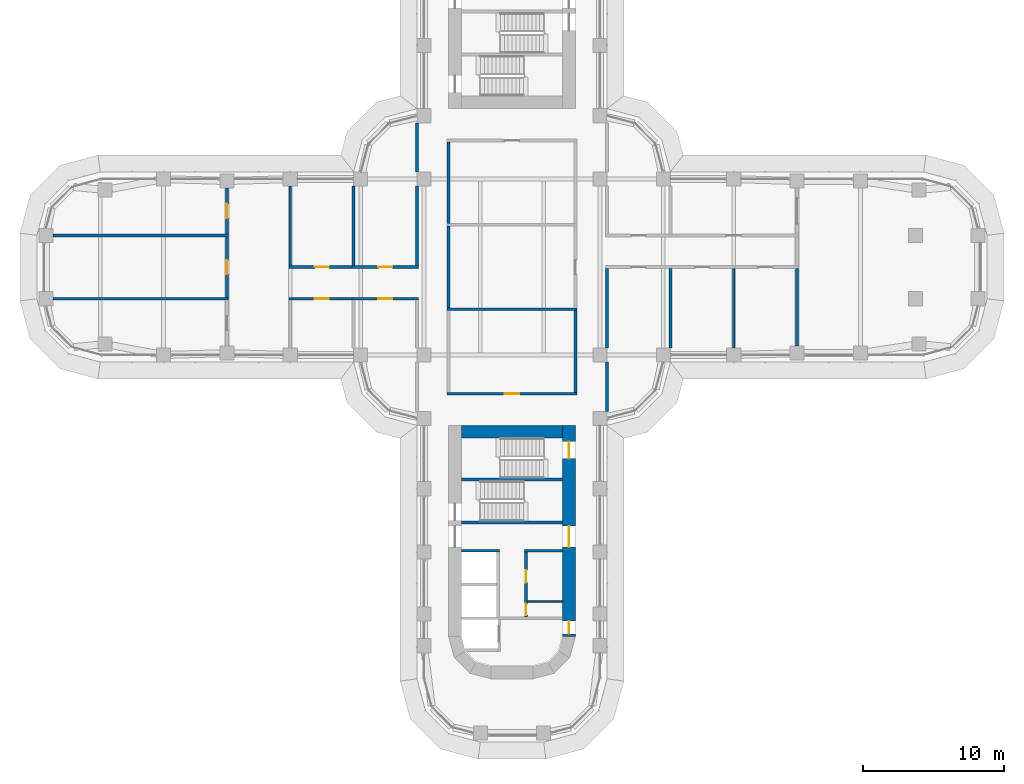
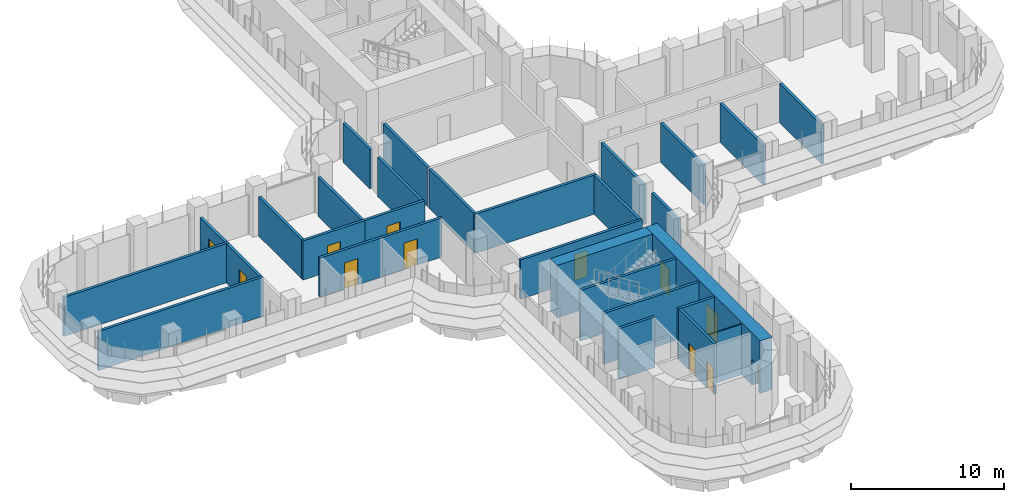
# One storey, part 17 of 23: 30 walls, 12 doors, 12 openings.
"""IFC4 building model written with IfcOpenShell, lengths in metres."""

from ifc_helpers import new_model, si_unit, direction, frame, frame_2d, origin, place, context, subcontext, project, spatial, rectangle, extrude, material, layer, layer_set, type_object, element, fill, save


model = new_model("IFC4")

# Units and contexts
model_context = context("Model", 3, precision=1e-05, world=origin(), true_north=direction((0.0, 1.0)))
body_context = subcontext(model_context, "Body", "Model", "MODEL_VIEW")
ifc_project = project(units=[si_unit("LENGTHUNIT", "METRE"), si_unit("AREAUNIT", "SQUARE_METRE"), si_unit("VOLUMEUNIT", "CUBIC_METRE"), si_unit("PLANEANGLEUNIT", "RADIAN"), si_unit("MASSUNIT", "GRAM", prefix="KILO")], contexts=[model_context])

# Site, building, storey
site_placement = place(None, origin())
site = spatial("IfcSite", under=ifc_project, at=site_placement, CompositionType="ELEMENT")
building_placement = place(site_placement, origin())
building = spatial("IfcBuilding", under=site, at=building_placement, Name="Zarbagh Exchange Tower", CompositionType="ELEMENT")
storey_placement = place(building_placement, frame((0.0, 0.0, 35.39990234375)))
storey = spatial("IfcBuildingStorey", under=building, at=storey_placement, Name="L07", CompositionType="ELEMENT", Elevation=35.39990234375)

# Walls
ifc_material_1 = material(Name="Dense blockwork", Category="masonry")
ifc_layer_1 = layer(ifc_material_1, 0.10009765625)
ifc_layer_set_1 = layer_set([ifc_layer_1], Name="Core partition 100 mm blockwork")
wall_type_1 = type_object("IfcWallType", Name="Core partition 100 mm blockwork", PredefinedType="PARTITIONING", material=ifc_layer_set_1)
wall_1_placement = place(storey_placement, frame((3.60009765625, -23.75, 0.0), z_axis=(0.0, 0.0, 1.0), x_axis=(-1.0, 0.0, 0.0)))
element("IfcWall", 1, at=wall_1_placement, inside=storey, type_object=wall_type_1, Name="South core partition wall CUT-W-460", PredefinedType="PARTITIONING", context=body_context, shape_type="SweptSolid", body=[
    extrude(rectangle(XDim=2.5, YDim=0.10009765625, at=frame_2d((1.25, 0.0))), origin(), (0.0, 0.0, 1.0), 4.050048828125),
])
ifc_material_2 = material(Name="Fire-rated plasterboard partition")
ifc_layer_2 = layer(ifc_material_2, 0.199951171875)
ifc_layer_set_2 = layer_set([ifc_layer_2], Name="RATED PARTITION 200")
wall_type_2 = type_object("IfcWallType", Name="RATED PARTITION 200", PredefinedType="PARTITIONING", material=ifc_layer_set_2)
for number, where, z_axis, x_axis, name in (
    (2, (-4.5, 3.10009765625, 0.0), (0.0, 0.0, 1.0), (0.0, 1.0, 0.0), "Partition W-201"),
    (3, (-4.5, -2.89990234375, 0.0), (0.0, 0.0, 1.0), (0.0, 1.0, 0.0), "Partition W-202"),
):
    element("IfcWall", number, at=place(storey_placement, frame(where, z_axis=z_axis, x_axis=x_axis)), inside=storey, type_object=wall_type_2, Name=name, PredefinedType="PARTITIONING", context=body_context, shape_type="SweptSolid", body=[
        extrude(rectangle(XDim=5.7998046875, YDim=0.199951171875, at=frame_2d((2.89990234375, 0.0))), origin(), (0.0, 0.0, 1.0), 3.130615234375),
    ])
wall_2_placement = place(storey_placement, frame((-6.75, 0.10009765625, 0.0), z_axis=(0.0, 0.0, 1.0), x_axis=(0.0, 1.0, 0.0)))
element("IfcWall", 4, at=wall_2_placement, inside=storey, type_object=wall_type_2, Name="Partition W-204", PredefinedType="PARTITIONING", context=body_context, shape_type="SweptSolid", body=[
    extrude(rectangle(XDim=5.64990234375, YDim=0.199951171875, at=frame_2d((2.824951171875, 0.0))), origin(), (0.0, 0.0, 1.0), 3.130615234375),
])
wall_3_placement = place(storey_placement, frame((-6.75, 6.75, 0.0), z_axis=(0.0, 0.0, 1.0), x_axis=(0.0, 1.0, 0.0)))
element("IfcWall", 5, at=wall_3_placement, inside=storey, type_object=wall_type_2, Name="Partition W-205", PredefinedType="PARTITIONING", context=body_context, shape_type="SweptSolid", body=[
    extrude(rectangle(XDim=3.5, YDim=0.199951171875, at=frame_2d((1.75, 0.0))), origin(), (0.0, 0.0, 1.0), 3.130615234375),
])
wall_4_placement = place(storey_placement, frame((4.5, -8.89990234375, 0.0), z_axis=(0.0, 0.0, 1.0), x_axis=(0.0, 1.0, 0.0)))
element("IfcWall", 6, at=wall_4_placement, inside=storey, type_object=wall_type_2, Name="Partition W-210", PredefinedType="PARTITIONING", context=body_context, shape_type="SweptSolid", body=[
    extrude(rectangle(XDim=5.7998046875, YDim=0.199951171875, at=frame_2d((2.89990234375, 0.0))), origin(), (0.0, 0.0, 1.0), 3.130615234375),
])
wall_5_placement = place(storey_placement, frame((6.75, -10.25, 0.0), z_axis=(0.0, 0.0, 1.0), x_axis=(0.0, 1.0, 0.0)))
element("IfcWall", 7, at=wall_5_placement, inside=storey, type_object=wall_type_2, Name="Partition W-213", PredefinedType="PARTITIONING", context=body_context, shape_type="SweptSolid", body=[
    extrude(rectangle(XDim=3.5, YDim=0.199951171875, at=frame_2d((1.75, 0.0))), origin(), (0.0, 0.0, 1.0), 3.130615234375),
])
wall_6_placement = place(storey_placement, frame((6.75, -5.75, 0.0), z_axis=(0.0, 0.0, 1.0), x_axis=(0.0, 1.0, 0.0)))
element("IfcWall", 8, at=wall_6_placement, inside=storey, type_object=wall_type_2, Name="Partition W-214", PredefinedType="PARTITIONING", context=body_context, shape_type="SweptSolid", body=[
    extrude(rectangle(XDim=5.64990234375, YDim=0.199951171875, at=frame_2d((2.824951171875, 0.0))), origin(), (0.0, 0.0, 1.0), 3.130615234375),
])

# Wall, opening, door
wall_7_placement = place(storey_placement, frame((-4.60009765625, -9.0, 0.0), z_axis=(0.0, 0.0, 1.0), x_axis=(1.0, 0.0, 0.0)))
wall_7 = element("IfcWall", 9, at=wall_7_placement, inside=storey, type_object=wall_type_2, Name="Partition W-216", PredefinedType="PARTITIONING", context=body_context, shape_type="SweptSolid", body=[
    extrude(rectangle(XDim=9.2001953125, YDim=0.199951171875, at=frame_2d((4.60009765625, 0.0))), origin(), (0.0, 0.0, 1.0), 3.130615234375),
])
opening_1_placement = place(wall_7_placement, frame((4.10009765625, 0.0, 0.0)))
opening_1 = element("IfcOpeningElement", 10, at=opening_1_placement, cuts=wall_7, Name="Opening D-203", PredefinedType="OPENING", context=body_context, shape_type="SweptSolid", body=[
    extrude(rectangle(XDim=1.0, YDim=2.10009765625, at=frame_2d((0.5, 1.050048828125))), frame((0.0, 0.10986328125, 0.0), z_axis=(0.0, -1.0, 0.0), x_axis=(1.0, 0.0, 0.0)), (0.0, 0.0, 1.0), 0.219970703125),
])
ifc_material_3 = material(Name="Steel door set", Category="steel")
door_type_1 = type_object("IfcDoorType", Name="FIRE DOOR 1000 X 2100 FD30S", OperationType="NOTDEFINED", PredefinedType="DOOR", material=ifc_material_3)
door_1_placement = place(opening_1_placement, origin())
door_1 = element("IfcDoor", 11, at=door_1_placement, inside=storey, type_object=door_type_1, Name="Door D-203", OperationType="SINGLE_SWING_RIGHT", OverallHeight=2.10009765625, OverallWidth=1.0, PredefinedType="DOOR", context=body_context, shape_type="SweptSolid", body=[
    extrude(rectangle(XDim=1.0, YDim=2.10009765625, at=frame_2d((0.5, 1.050048828125))), frame((0.0, 0.02490234375, 0.0), z_axis=(0.0, -1.0, 0.0), x_axis=(1.0, 0.0, 0.0)), (0.0, 0.0, 1.0), 0.050048828125),
])
fill(opening_1, door_1)

# Walls
wall_8_placement = place(storey_placement, frame((-4.60009765625, -3.0, 0.0), z_axis=(0.0, 0.0, 1.0), x_axis=(1.0, 0.0, 0.0)))
element("IfcWall", 12, at=wall_8_placement, inside=storey, type_object=wall_type_2, Name="Partition W-218", PredefinedType="PARTITIONING", context=body_context, shape_type="SweptSolid", body=[
    extrude(rectangle(XDim=9.2001953125, YDim=0.199951171875, at=frame_2d((4.60009765625, 0.0))), origin(), (0.0, 0.0, 1.0), 3.130615234375),
])
for number, where, z_axis, x_axis, name in (
    (13, (11.25, -5.75, 0.0), (0.0, 0.0, 1.0), (0.0, 1.0, 0.0), "Partition W-226"),
    (14, (15.75, -5.75, 0.0), (0.0, 0.0, 1.0), (0.0, 1.0, 0.0), "Partition W-228"),
):
    element("IfcWall", number, at=place(storey_placement, frame(where, z_axis=z_axis, x_axis=x_axis)), inside=storey, type_object=wall_type_2, Name=name, PredefinedType="PARTITIONING", context=body_context, shape_type="SweptSolid", body=[
        extrude(rectangle(XDim=5.64990234375, YDim=0.199951171875, at=frame_2d((2.824951171875, 0.0))), origin(), (0.0, 0.0, 1.0), 3.130615234375),
    ])
wall_9_placement = place(storey_placement, frame((20.25, -5.610107421875, 0.0), z_axis=(0.0, 0.0, 1.0), x_axis=(0.0, 1.0, 0.0)))
element("IfcWall", 15, at=wall_9_placement, inside=storey, type_object=wall_type_2, Name="Partition W-229", PredefinedType="PARTITIONING", context=body_context, shape_type="SweptSolid", body=[
    extrude(rectangle(XDim=5.510009765625, YDim=0.199951171875, at=frame_2d((2.7548828125, 0.0))), origin(), (0.0, 0.0, 1.0), 3.130615234375),
])

# Wall, opening, door
wall_10_placement = place(storey_placement, frame((-11.35009765625, 0.0, 0.0), z_axis=(0.0, 0.0, 1.0), x_axis=(1.0, 0.0, 0.0)))
wall_10 = element("IfcWall", 16, at=wall_10_placement, inside=storey, type_object=wall_type_2, Name="Partition W-230", PredefinedType="PARTITIONING", context=body_context, shape_type="SweptSolid", body=[
    extrude(rectangle(XDim=4.7001953125, YDim=0.199951171875, at=frame_2d((2.35009765625, 0.0))), origin(), (0.0, 0.0, 1.0), 3.130615234375),
])
opening_2_placement = place(wall_10_placement, frame((1.85009765625, 0.0, 0.0)))
opening_2 = element("IfcOpeningElement", 17, at=opening_2_placement, cuts=wall_10, Name="Opening D-210", PredefinedType="OPENING", context=body_context, shape_type="SweptSolid", body=[
    extrude(rectangle(XDim=1.0, YDim=2.10009765625, at=frame_2d((0.5, 1.050048828125))), frame((0.0, 0.10986328125, 0.0), z_axis=(0.0, -1.0, 0.0), x_axis=(1.0, 0.0, 0.0)), (0.0, 0.0, 1.0), 0.219970703125),
])
door_2_placement = place(opening_2_placement, origin())
door_2 = element("IfcDoor", 18, at=door_2_placement, inside=storey, type_object=door_type_1, Name="Door D-210", OperationType="SINGLE_SWING_RIGHT", OverallHeight=2.10009765625, OverallWidth=1.0, PredefinedType="DOOR", context=body_context, shape_type="SweptSolid", body=[
    extrude(rectangle(XDim=1.0, YDim=2.10009765625, at=frame_2d((0.5, 1.050048828125))), frame((0.0, 0.02490234375, 0.0), z_axis=(0.0, -1.0, 0.0), x_axis=(1.0, 0.0, 0.0)), (0.0, 0.0, 1.0), 0.050048828125),
])
fill(opening_2, door_2)

wall_11_placement = place(storey_placement, frame((-6.64990234375, -2.25, 0.0), z_axis=(0.0, 0.0, 1.0), x_axis=(-1.0, 0.0, 0.0)))
wall_11 = element("IfcWall", 19, at=wall_11_placement, inside=storey, type_object=wall_type_2, Name="Partition W-231", PredefinedType="PARTITIONING", context=body_context, shape_type="SweptSolid", body=[
    extrude(rectangle(XDim=4.7001953125, YDim=0.199951171875, at=frame_2d((2.35009765625, 0.0))), origin(), (0.0, 0.0, 1.0), 3.130615234375),
])
opening_3_placement = place(wall_11_placement, frame((1.85009765625, 0.0, 0.0)))
opening_3 = element("IfcOpeningElement", 20, at=opening_3_placement, cuts=wall_11, Name="Opening D-212", PredefinedType="OPENING", context=body_context, shape_type="SweptSolid", body=[
    extrude(rectangle(XDim=1.0, YDim=2.10009765625, at=frame_2d((0.5, 1.050048828125))), frame((0.0, 0.10986328125, 0.0), z_axis=(0.0, -1.0, 0.0), x_axis=(1.0, 0.0, 0.0)), (0.0, 0.0, 1.0), 0.219970703125),
])
door_3_placement = place(opening_3_placement, origin())
door_3 = element("IfcDoor", 21, at=door_3_placement, inside=storey, type_object=door_type_1, Name="Door D-212", OperationType="SINGLE_SWING_RIGHT", OverallHeight=2.10009765625, OverallWidth=1.0, PredefinedType="DOOR", context=body_context, shape_type="SweptSolid", body=[
    extrude(rectangle(XDim=1.0, YDim=2.10009765625, at=frame_2d((0.5, 1.050048828125))), frame((0.0, 0.02490234375, 0.0), z_axis=(0.0, -1.0, 0.0), x_axis=(1.0, 0.0, 0.0)), (0.0, 0.0, 1.0), 0.050048828125),
])
fill(opening_3, door_3)

wall_12_placement = place(storey_placement, frame((-15.85009765625, 0.0, 0.0), z_axis=(0.0, 0.0, 1.0), x_axis=(1.0, 0.0, 0.0)))
wall_12 = element("IfcWall", 22, at=wall_12_placement, inside=storey, type_object=wall_type_2, Name="Partition W-232", PredefinedType="PARTITIONING", context=body_context, shape_type="SweptSolid", body=[
    extrude(rectangle(XDim=4.7001953125, YDim=0.199951171875, at=frame_2d((2.35009765625, 0.0))), origin(), (0.0, 0.0, 1.0), 3.130615234375),
])
opening_4_placement = place(wall_12_placement, frame((1.85009765625, 0.0, 0.0)))
opening_4 = element("IfcOpeningElement", 23, at=opening_4_placement, cuts=wall_12, Name="Opening D-211", PredefinedType="OPENING", context=body_context, shape_type="SweptSolid", body=[
    extrude(rectangle(XDim=1.0, YDim=2.10009765625, at=frame_2d((0.5, 1.050048828125))), frame((0.0, 0.10986328125, 0.0), z_axis=(0.0, -1.0, 0.0), x_axis=(1.0, 0.0, 0.0)), (0.0, 0.0, 1.0), 0.219970703125),
])
door_4_placement = place(opening_4_placement, origin())
door_4 = element("IfcDoor", 24, at=door_4_placement, inside=storey, type_object=door_type_1, Name="Door D-211", OperationType="SINGLE_SWING_RIGHT", OverallHeight=2.10009765625, OverallWidth=1.0, PredefinedType="DOOR", context=body_context, shape_type="SweptSolid", body=[
    extrude(rectangle(XDim=1.0, YDim=2.10009765625, at=frame_2d((0.5, 1.050048828125))), frame((0.0, 0.02490234375, 0.0), z_axis=(0.0, -1.0, 0.0), x_axis=(1.0, 0.0, 0.0)), (0.0, 0.0, 1.0), 0.050048828125),
])
fill(opening_4, door_4)

wall_13_placement = place(storey_placement, frame((-11.14990234375, -2.25, 0.0), z_axis=(0.0, 0.0, 1.0), x_axis=(-1.0, 0.0, 0.0)))
wall_13 = element("IfcWall", 25, at=wall_13_placement, inside=storey, type_object=wall_type_2, Name="Partition W-233", PredefinedType="PARTITIONING", context=body_context, shape_type="SweptSolid", body=[
    extrude(rectangle(XDim=4.7001953125, YDim=0.199951171875, at=frame_2d((2.35009765625, 0.0))), origin(), (0.0, 0.0, 1.0), 3.130615234375),
])
opening_5_placement = place(wall_13_placement, frame((1.85009765625, 0.0, 0.0)))
opening_5 = element("IfcOpeningElement", 26, at=opening_5_placement, cuts=wall_13, Name="Opening D-213", PredefinedType="OPENING", context=body_context, shape_type="SweptSolid", body=[
    extrude(rectangle(XDim=1.0, YDim=2.10009765625, at=frame_2d((0.5, 1.050048828125))), frame((0.0, 0.10986328125, 0.0), z_axis=(0.0, -1.0, 0.0), x_axis=(1.0, 0.0, 0.0)), (0.0, 0.0, 1.0), 0.219970703125),
])
door_5_placement = place(opening_5_placement, origin())
door_5 = element("IfcDoor", 27, at=door_5_placement, inside=storey, type_object=door_type_1, Name="Door D-213", OperationType="SINGLE_SWING_RIGHT", OverallHeight=2.10009765625, OverallWidth=1.0, PredefinedType="DOOR", context=body_context, shape_type="SweptSolid", body=[
    extrude(rectangle(XDim=1.0, YDim=2.10009765625, at=frame_2d((0.5, 1.050048828125))), frame((0.0, 0.02490234375, 0.0), z_axis=(0.0, -1.0, 0.0), x_axis=(1.0, 0.0, 0.0)), (0.0, 0.0, 1.0), 0.050048828125),
])
fill(opening_5, door_5)

# Walls
for number, where, z_axis, x_axis, name in (
    (28, (-11.25, 0.10009765625, 0.0), (0.0, 0.0, 1.0), (0.0, 1.0, 0.0), "Partition W-234"),
    (29, (-15.75, 0.10009765625, 0.0), (0.0, 0.0, 1.0), (0.0, 1.0, 0.0), "Partition W-236"),
):
    element("IfcWall", number, at=place(storey_placement, frame(where, z_axis=z_axis, x_axis=x_axis)), inside=storey, type_object=wall_type_2, Name=name, PredefinedType="PARTITIONING", context=body_context, shape_type="SweptSolid", body=[
        extrude(rectangle(XDim=5.64990234375, YDim=0.199951171875, at=frame_2d((2.824951171875, 0.0))), origin(), (0.0, 0.0, 1.0), 3.130615234375),
    ])

# Wall, opening, door
wall_14_placement = place(storey_placement, frame((-20.25, -2.14990234375, 0.0), z_axis=(0.0, 0.0, 1.0), x_axis=(0.0, 1.0, 0.0)))
wall_14 = element("IfcWall", 30, at=wall_14_placement, inside=storey, type_object=wall_type_2, Name="Partition W-239", PredefinedType="PARTITIONING", context=body_context, shape_type="SweptSolid", body=[
    extrude(rectangle(XDim=4.2998046875, YDim=0.199951171875, at=frame_2d((2.14990234375, 0.0))), origin(), (0.0, 0.0, 1.0), 3.130615234375),
])
opening_6_placement = place(wall_14_placement, frame((1.64990234375, 0.0, 0.0)))
opening_6 = element("IfcOpeningElement", 31, at=opening_6_placement, cuts=wall_14, Name="Opening D-215", PredefinedType="OPENING", context=body_context, shape_type="SweptSolid", body=[
    extrude(rectangle(XDim=1.0, YDim=2.10009765625, at=frame_2d((0.5, 1.050048828125))), frame((0.0, 0.10986328125, 0.0), z_axis=(0.0, -1.0, 0.0), x_axis=(1.0, 0.0, 0.0)), (0.0, 0.0, 1.0), 0.219970703125),
])
door_6_placement = place(opening_6_placement, origin())
door_6 = element("IfcDoor", 32, at=door_6_placement, inside=storey, type_object=door_type_1, Name="Door D-215", OperationType="SINGLE_SWING_RIGHT", OverallHeight=2.10009765625, OverallWidth=1.0, PredefinedType="DOOR", context=body_context, shape_type="SweptSolid", body=[
    extrude(rectangle(XDim=1.0, YDim=2.10009765625, at=frame_2d((0.5, 1.050048828125))), frame((0.0, 0.02490234375, 0.0), z_axis=(0.0, -1.0, 0.0), x_axis=(1.0, 0.0, 0.0)), (0.0, 0.0, 1.0), 0.050048828125),
])
fill(opening_6, door_6)

wall_15_placement = place(storey_placement, frame((-20.25, 2.35009765625, 0.0), z_axis=(0.0, 0.0, 1.0), x_axis=(0.0, 1.0, 0.0)))
wall_15 = element("IfcWall", 33, at=wall_15_placement, inside=storey, type_object=wall_type_2, Name="Partition W-240", PredefinedType="PARTITIONING", context=body_context, shape_type="SweptSolid", body=[
    extrude(rectangle(XDim=3.260009765625, YDim=0.199951171875, at=frame_2d((1.6298828125, 0.0))), origin(), (0.0, 0.0, 1.0), 3.130615234375),
])
opening_7_placement = place(wall_15_placement, frame((1.1298828125, 0.0, 0.0)))
opening_7 = element("IfcOpeningElement", 34, at=opening_7_placement, cuts=wall_15, Name="Opening D-216", PredefinedType="OPENING", context=body_context, shape_type="SweptSolid", body=[
    extrude(rectangle(XDim=1.0, YDim=2.10009765625, at=frame_2d((0.5, 1.050048828125))), frame((0.0, 0.10986328125, 0.0), z_axis=(0.0, -1.0, 0.0), x_axis=(1.0, 0.0, 0.0)), (0.0, 0.0, 1.0), 0.219970703125),
])
door_7_placement = place(opening_7_placement, origin())
door_7 = element("IfcDoor", 35, at=door_7_placement, inside=storey, type_object=door_type_1, Name="Door D-216", OperationType="SINGLE_SWING_RIGHT", OverallHeight=2.10009765625, OverallWidth=1.0, PredefinedType="DOOR", context=body_context, shape_type="SweptSolid", body=[
    extrude(rectangle(XDim=1.0, YDim=2.10009765625, at=frame_2d((0.5, 1.050048828125))), frame((0.0, 0.02490234375, 0.0), z_axis=(0.0, -1.0, 0.0), x_axis=(1.0, 0.0, 0.0)), (0.0, 0.0, 1.0), 0.050048828125),
])
fill(opening_7, door_7)

# Walls
for number, where, z_axis, x_axis, name in (
    (36, (-32.610107421875, -2.25, 0.0), (0.0, 0.0, 1.0), (1.0, 0.0, 0.0), "Partition W-241"),
    (37, (-32.610107421875, 2.25, 0.0), (0.0, 0.0, 1.0), (1.0, 0.0, 0.0), "Partition W-242"),
):
    element("IfcWall", number, at=place(storey_placement, frame(where, z_axis=z_axis, x_axis=x_axis)), inside=storey, type_object=wall_type_2, Name=name, PredefinedType="PARTITIONING", context=body_context, shape_type="SweptSolid", body=[
        extrude(rectangle(XDim=12.460205078125, YDim=0.199951171875, at=frame_2d((6.22998046875, 0.0))), origin(), (0.0, 0.0, 1.0), 3.130615234375),
    ])

# Wall, openings, doors
ifc_material_4 = material(Name="Concrete C60/75", Category="concrete")
ifc_layer_3 = layer(ifc_material_4, 0.89990234375)
ifc_layer_set_3 = layer_set([ifc_layer_3], Name="RC core wall 900 C60/75")
wall_type_3 = type_object("IfcWallType", Name="RC core wall 900 C60/75", PredefinedType="SHEAR", material=ifc_layer_set_3)
wall_16_placement = place(storey_placement, frame((4.050048828125, -11.25, 0.0), z_axis=(0.0, 0.0, 1.0), x_axis=(0.0, -1.0, 0.0)))
wall_16 = element("IfcWall", 38, at=wall_16_placement, inside=storey, type_object=wall_type_3, Name="CW1 core S E", PredefinedType="SHEAR", context=body_context, shape_type="SweptSolid", body=[
    extrude(rectangle(XDim=15.0, YDim=0.89990234375, at=frame_2d((7.5, 0.0))), origin(), (0.0, 0.0, 1.0), 4.2001953125),
])
opening_8_placement = place(wall_16_placement, frame((7.14990234375, 0.0, 0.0)))
opening_8 = element("IfcOpeningElement", 39, at=opening_8_placement, cuts=wall_16, Name="Opening CD1-1500", PredefinedType="OPENING", context=body_context, shape_type="SweptSolid", body=[
    extrude(rectangle(XDim=1.5, YDim=2.300048828125, at=frame_2d((0.75, 1.14990234375))), frame((0.0, 0.4599609375, 0.0), z_axis=(0.0, -1.0, 0.0), x_axis=(1.0, 0.0, 0.0)), (0.0, 0.0, 1.0), 0.919921875),
])
opening_9_placement = place(wall_16_placement, frame((13.89990234375, 0.0, 0.0)))
opening_9 = element("IfcOpeningElement", 40, at=opening_9_placement, cuts=wall_16, Name="Opening CD2-900", PredefinedType="OPENING", context=body_context, shape_type="SweptSolid", body=[
    extrude(rectangle(XDim=0.89990234375, YDim=2.10009765625, at=frame_2d((0.449951171875, 1.050048828125))), frame((0.0, 0.4599609375, 0.0), z_axis=(0.0, -1.0, 0.0), x_axis=(1.0, 0.0, 0.0)), (0.0, 0.0, 1.0), 0.919921875),
])
opening_10_placement = place(wall_16_placement, frame((1.14990234375, 0.0, 0.0)))
opening_10 = element("IfcOpeningElement", 41, at=opening_10_placement, cuts=wall_16, Name="Opening SD1-1200", PredefinedType="OPENING", context=body_context, shape_type="SweptSolid", body=[
    extrude(rectangle(XDim=1.199951171875, YDim=2.10009765625, at=frame_2d((0.60009765625, 1.050048828125))), frame((0.0, 0.4599609375, 0.0), z_axis=(0.0, -1.0, 0.0), x_axis=(1.0, 0.0, 0.0)), (0.0, 0.0, 1.0), 0.919921875),
])
ifc_material_5 = material(Name="Steel", Category="steel")
door_type_2 = type_object("IfcDoorType", Name="Exit stair door 1200 x 2100", OperationType="NOTDEFINED", PredefinedType="DOOR", material=ifc_material_5)
door_8_placement = place(opening_10_placement, origin())
door_8 = element("IfcDoor", 42, at=door_8_placement, inside=storey, type_object=door_type_2, Name="South core stair door ST2", OperationType="SINGLE_SWING_LEFT", OverallHeight=2.10009765625, OverallWidth=1.199951171875, PredefinedType="DOOR", context=body_context, shape_type="SweptSolid", body=[
    extrude(rectangle(XDim=1.199951171875, YDim=2.10009765625, at=frame_2d((0.60009765625, 1.050048828125))), frame((0.0, 0.02490234375, 0.0), z_axis=(0.0, -1.0, 0.0), x_axis=(1.0, 0.0, 0.0)), (0.0, 0.0, 1.0), 0.050048828125),
])
fill(opening_10, door_8)
door_type_3 = type_object("IfcDoorType", Name="Firefighting lobby door 900 x 2100", OperationType="NOTDEFINED", PredefinedType="DOOR", material=ifc_material_5)
door_9_placement = place(opening_9_placement, origin())
door_9 = element("IfcDoor", 43, at=door_9_placement, inside=storey, type_object=door_type_3, Name="South core firefighting lobby door FF-W", OperationType="SINGLE_SWING_RIGHT", OverallHeight=2.10009765625, OverallWidth=0.89990234375, PredefinedType="DOOR", context=body_context, shape_type="SweptSolid", body=[
    extrude(rectangle(XDim=0.89990234375, YDim=2.10009765625, at=frame_2d((0.449951171875, 1.050048828125))), frame((0.0, 0.02490234375, 0.0), z_axis=(0.0, -1.0, 0.0), x_axis=(1.0, 0.0, 0.0)), (0.0, 0.0, 1.0), 0.050048828125),
])
fill(opening_9, door_9)
door_type_4 = type_object("IfcDoorType", Name="Lift lobby double door 1500 x 2300", OperationType="NOTDEFINED", PredefinedType="DOOR", material=ifc_material_5)
door_10_placement = place(opening_8_placement, origin())
door_10 = element("IfcDoor", 44, at=door_10_placement, inside=storey, type_object=door_type_4, Name="South core lift lobby door LOBBY-W", OperationType="DOUBLE_DOOR_SINGLE_SWING", OverallHeight=2.300048828125, OverallWidth=1.5, PredefinedType="DOOR", context=body_context, shape_type="SweptSolid", body=[
    extrude(rectangle(XDim=1.5, YDim=2.300048828125, at=frame_2d((0.75, 1.14990234375))), frame((0.0, 0.02490234375, 0.0), z_axis=(0.0, -1.0, 0.0), x_axis=(1.0, 0.0, 0.0)), (0.0, 0.0, 1.0), 0.050048828125),
])
fill(opening_8, door_10)

# Walls
wall_17_placement = place(storey_placement, frame((-3.60009765625, -11.699951171875, 0.0), z_axis=(0.0, 0.0, 1.0), x_axis=(1.0, 0.0, 0.0)))
element("IfcWall", 45, at=wall_17_placement, inside=storey, type_object=wall_type_3, Name="CW1 core S inner end", PredefinedType="SHEAR", context=body_context, shape_type="SweptSolid", body=[
    extrude(rectangle(XDim=7.2001953125, YDim=0.89990234375, at=frame_2d((3.60009765625, 0.0))), origin(), (0.0, 0.0, 1.0), 4.2001953125),
])
ifc_layer_4 = layer(ifc_material_1, 0.199951171875)
ifc_layer_set_4 = layer_set([ifc_layer_4], Name="Shaft wall 200 mm blockwork")
wall_type_4 = type_object("IfcWallType", Name="Shaft wall 200 mm blockwork", PredefinedType="PARTITIONING", material=ifc_layer_set_4)
wall_18_placement = place(storey_placement, frame((3.60009765625, -20.14990234375, 0.0), z_axis=(0.0, 0.0, 1.0), x_axis=(-1.0, 0.0, 0.0)))
element("IfcWall", 46, at=wall_18_placement, inside=storey, type_object=wall_type_4, Name="South core shaft wall AB-W", PredefinedType="PARTITIONING", context=body_context, shape_type="SweptSolid", body=[
    extrude(rectangle(XDim=2.7001953125, YDim=0.199951171875, at=frame_2d((1.35009765625, 0.0))), origin(), (0.0, 0.0, 1.0), 4.050048828125),
])

# Wall, openings, doors
wall_19_placement = place(storey_placement, frame((1.0, -24.85009765625, 0.0), z_axis=(0.0, 0.0, 1.0), x_axis=(0.0, 1.0, 0.0)))
wall_19 = element("IfcWall", 47, at=wall_19_placement, inside=storey, type_object=wall_type_4, Name="South core shaft wall LW-W", PredefinedType="PARTITIONING", context=body_context, shape_type="SweptSolid", body=[
    extrude(rectangle(XDim=4.60009765625, YDim=0.199951171875, at=frame_2d((2.300048828125, 0.0))), origin(), (0.0, 0.0, 1.0), 4.050048828125),
])
opening_11_placement = place(wall_19_placement, frame((0.125, 0.0, 0.0)))
opening_11 = element("IfcOpeningElement", 48, at=opening_11_placement, cuts=wall_19, Name="Opening CD3-800", PredefinedType="OPENING", context=body_context, shape_type="SweptSolid", body=[
    extrude(rectangle(XDim=0.800048828125, YDim=2.10009765625, at=frame_2d((0.39990234375, 1.050048828125))), frame((0.0, 0.10986328125, 0.0), z_axis=(0.0, -1.0, 0.0), x_axis=(1.0, 0.0, 0.0)), (0.0, 0.0, 1.0), 0.219970703125),
])
opening_12_placement = place(wall_19_placement, frame((2.425048828125, 0.0, 0.0)))
opening_12 = element("IfcOpeningElement", 49, at=opening_12_placement, cuts=wall_19, Name="Opening CD3-900", PredefinedType="OPENING", context=body_context, shape_type="SweptSolid", body=[
    extrude(rectangle(XDim=0.89990234375, YDim=2.10009765625, at=frame_2d((0.449951171875, 1.050048828125))), frame((0.0, 0.10986328125, 0.0), z_axis=(0.0, -1.0, 0.0), x_axis=(1.0, 0.0, 0.0)), (0.0, 0.0, 1.0), 0.219970703125),
])
door_type_5 = type_object("IfcDoorType", Name="Core room door 800 x 2100", OperationType="NOTDEFINED", PredefinedType="DOOR", material=ifc_material_5)
door_11_placement = place(opening_11_placement, origin())
door_11 = element("IfcDoor", 50, at=door_11_placement, inside=storey, type_object=door_type_5, Name="South core Store door RD-W-0", OperationType="SINGLE_SWING_LEFT", OverallHeight=2.10009765625, OverallWidth=0.800048828125, PredefinedType="DOOR", context=body_context, shape_type="SweptSolid", body=[
    extrude(rectangle(XDim=0.800048828125, YDim=2.10009765625, at=frame_2d((0.39990234375, 1.050048828125))), frame((0.0, 0.02490234375, 0.0), z_axis=(0.0, -1.0, 0.0), x_axis=(1.0, 0.0, 0.0)), (0.0, 0.0, 1.0), 0.050048828125),
])
fill(opening_11, door_11)
door_type_6 = type_object("IfcDoorType", Name="Core room door 900 x 2100", OperationType="NOTDEFINED", PredefinedType="DOOR", material=ifc_material_5)
door_12_placement = place(opening_12_placement, origin())
door_12 = element("IfcDoor", 51, at=door_12_placement, inside=storey, type_object=door_type_6, Name="South core Staff WC door RD-W-1", OperationType="SINGLE_SWING_RIGHT", OverallHeight=2.10009765625, OverallWidth=0.89990234375, PredefinedType="DOOR", context=body_context, shape_type="SweptSolid", body=[
    extrude(rectangle(XDim=0.89990234375, YDim=2.10009765625, at=frame_2d((0.449951171875, 1.050048828125))), frame((0.0, 0.02490234375, 0.0), z_axis=(0.0, -1.0, 0.0), x_axis=(1.0, 0.0, 0.0)), (0.0, 0.0, 1.0), 0.050048828125),
])
fill(opening_12, door_12)

# Walls
wall_20_placement = place(storey_placement, frame((-0.89990234375, -20.14990234375, 0.0), z_axis=(0.0, 0.0, 1.0), x_axis=(-1.0, 0.0, 0.0)))
element("IfcWall", 52, at=wall_20_placement, inside=storey, type_object=wall_type_4, Name="South core shaft wall AB-E", PredefinedType="PARTITIONING", context=body_context, shape_type="SweptSolid", body=[
    extrude(rectangle(XDim=2.7001953125, YDim=0.199951171875, at=frame_2d((1.35009765625, 0.0))), origin(), (0.0, 0.0, 1.0), 4.050048828125),
])
ifc_material_6 = material(Name="Concrete C40/50", Category="concrete")
ifc_layer_5 = layer(ifc_material_6, 0.199951171875)
ifc_layer_set_5 = layer_set([ifc_layer_5], Name="Stair enclosure wall 200 mm RC C40/50")
wall_type_5 = type_object("IfcWallType", Name="Stair enclosure wall 200 mm RC C40/50", PredefinedType="SHEAR", material=ifc_layer_set_5)
for number, where, z_axis, x_axis, name in (
    (53, (3.60009765625, -18.14990234375, 0.0), (0.0, 0.0, 1.0), (-1.0, 0.0, 0.0), "South core stair wall BS"),
    (54, (3.60009765625, -15.10009765625, 0.0), (0.0, 0.0, 1.0), (-1.0, 0.0, 0.0), "South core stair wall ST12"),
):
    element("IfcWall", number, at=place(storey_placement, frame(where, z_axis=z_axis, x_axis=x_axis)), inside=storey, type_object=wall_type_5, Name=name, PredefinedType="SHEAR", context=body_context, shape_type="SweptSolid", body=[
        extrude(rectangle(XDim=7.2001953125, YDim=0.199951171875, at=frame_2d((3.60009765625, 0.0))), origin(), (0.0, 0.0, 1.0), 4.050048828125),
    ])

save(model, "model.ifc")
